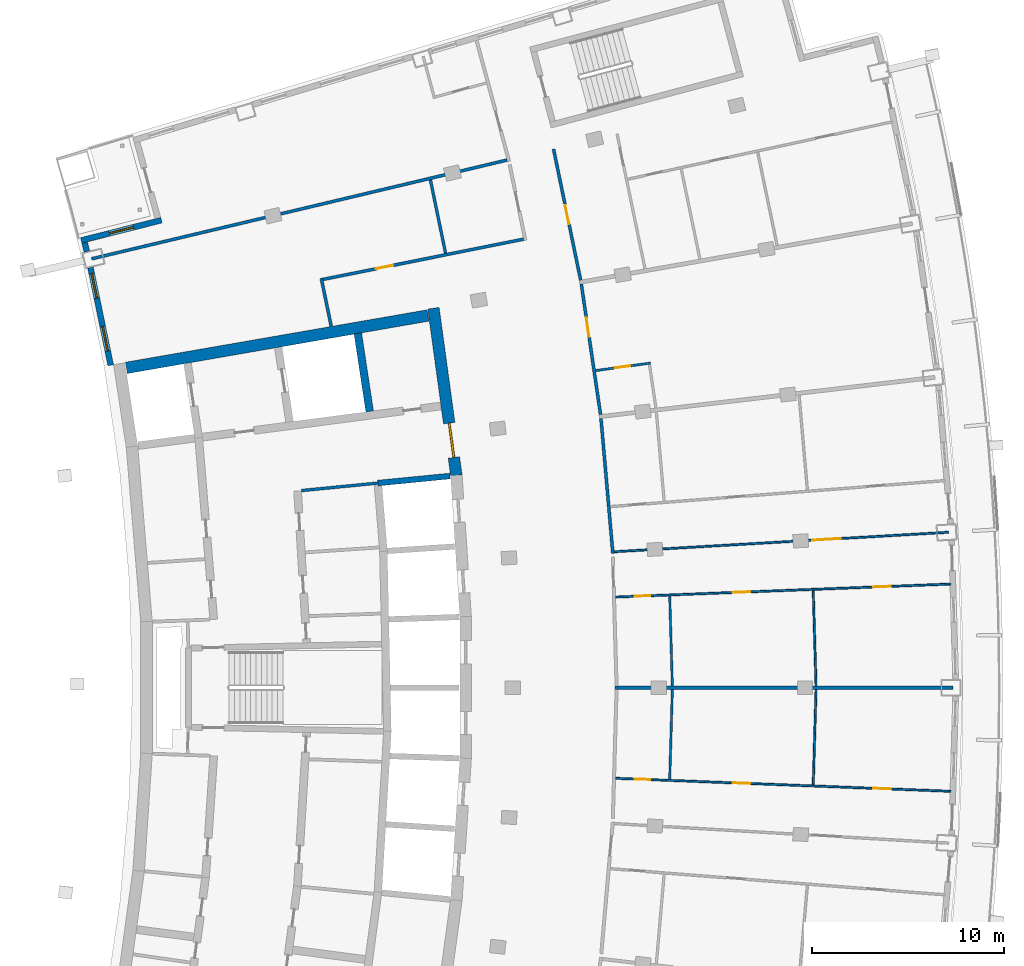
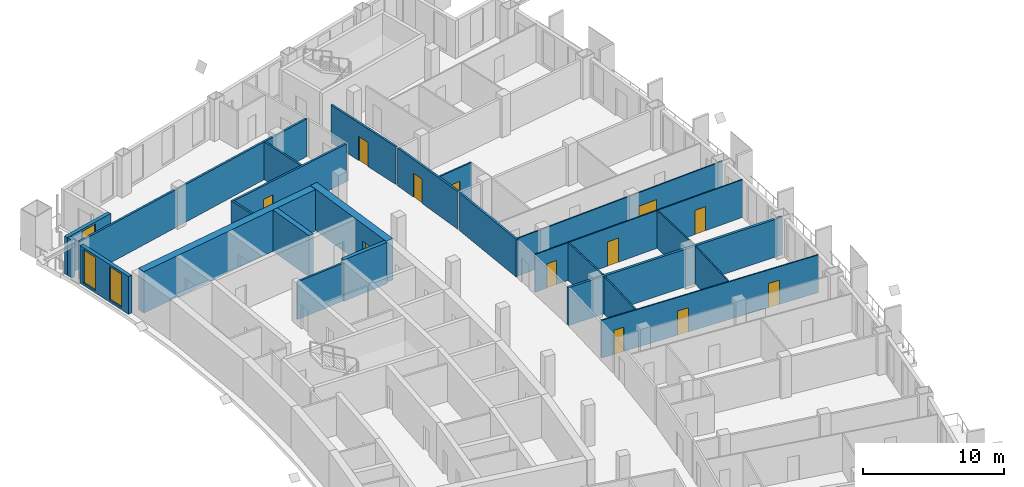
# One storey, part 13 of 19: 24 walls, 12 doors, 3 windows, 15 openings.
"""IFC4 building model written with IfcOpenShell, lengths in metres."""

from ifc_helpers import new_model, si_unit, direction, frame, frame_2d, origin, place, context, subcontext, project, spatial, rectangle, extrude, material, layer, layer_set, type_object, element, fill, save


model = new_model("IFC4")

# Units and contexts
model_context = context("Model", 3, precision=1e-05, world=origin(), true_north=direction((0.0, 1.0)))
body_context = subcontext(model_context, "Body", "Model", "MODEL_VIEW")
ifc_project = project(units=[si_unit("LENGTHUNIT", "METRE"), si_unit("AREAUNIT", "SQUARE_METRE"), si_unit("VOLUMEUNIT", "CUBIC_METRE"), si_unit("PLANEANGLEUNIT", "RADIAN"), si_unit("MASSUNIT", "GRAM", prefix="KILO")], contexts=[model_context])

# Site, building, storey
site_placement = place(None, origin())
site = spatial("IfcSite", under=ifc_project, at=site_placement, CompositionType="ELEMENT")
building_placement = place(site_placement, origin())
building = spatial("IfcBuilding", under=site, at=building_placement, Name="Alderwake Tower", CompositionType="ELEMENT")
storey_placement = place(building_placement, frame((0.0, 0.0, 196.39990234375)))
storey = spatial("IfcBuildingStorey", under=building, at=storey_placement, Name="L48", CompositionType="ELEMENT", Elevation=196.39990234375)

# Wall
ifc_material_1 = material(Name="Gypsum shaft wall system, rated")
ifc_layer_1 = layer(ifc_material_1, 0.14990234375)
ifc_layer_set_1 = layer_set([ifc_layer_1], Name="Core room partition 150")
wall_type_1 = type_object("IfcWallType", Name="Core room partition 150", PredefinedType="PARTITIONING", material=ifc_layer_set_1)
wall_1_placement = place(storey_placement, frame((24.799560546875, 71.2548828125, 0.0), z_axis=(0.0, 0.0, 1.0), x_axis=(0.995250000627, 0.097352125046, 0.0)))
element("IfcWall", 1, at=wall_1_placement, inside=storey, type_object=wall_type_1, Name="CW/L48/PR+102_+86", PredefinedType="PARTITIONING", context=body_context, shape_type="SweptSolid", body=[
    extrude(rectangle(XDim=4.0, YDim=0.14990234375, at=frame_2d((2.0, 0.0))), origin(), (0.0, 0.0, 1.0), 3.280029296875),
])

# Wall, opening, door
ifc_material_2 = material(Name="Concrete C70/85", Category="concrete")
ifc_layer_2 = layer(ifc_material_2, 0.60009765625)
ifc_layer_set_2 = layer_set([ifc_layer_2], Name="Core wall outer 600 C70-85")
wall_type_2 = type_object("IfcWallType", Name="Core wall outer 600 C70-85", PredefinedType="SHEAR", material=ifc_layer_set_2)
wall_2_placement = place(storey_placement, frame((31.66796875, 80.743896484375, 0.0), z_axis=(0.0, 0.0, 1.0), x_axis=(0.135856583698, -0.990728514108, 0.0)))
wall_2 = element("IfcWall", 2, at=wall_2_placement, inside=storey, type_object=wall_type_2, Name="Core wall CW.014", PredefinedType="SHEAR", context=body_context, shape_type="SweptSolid", body=[
    extrude(rectangle(XDim=8.79296875, YDim=0.60009765625, at=frame_2d((4.396484375, 0.0))), origin(), (0.0, 0.0, 1.0), 3.60009765625),
])
opening_1_placement = place(wall_2_placement, frame((6.038818359375, 0.0, 0.0)))
opening_1 = element("IfcOpeningElement", 3, at=opening_1_placement, cuts=wall_2, Name="Opening C001", PredefinedType="OPENING", context=body_context, shape_type="SweptSolid", body=[
    extrude(rectangle(XDim=1.800048828125, YDim=2.10009765625, at=frame_2d((0.89990234375, 1.050048828125))), frame((0.0, 0.31005859375, 0.0), z_axis=(0.0, -1.0, 0.0), x_axis=(1.0, 0.0, 0.0)), (0.0, 0.0, 1.0), 0.6201171875),
])
ifc_material_3 = material(Name="Steel-framed fire door leaves", Category="steel")
door_type_1 = type_object("IfcDoorType", Name="Core double door 1800 fire-rated", OperationType="DOUBLE_DOOR_SINGLE_SWING", PredefinedType="DOOR", material=ifc_material_3)
door_1_placement = place(opening_1_placement, origin())
door_1 = element("IfcDoor", 4, at=door_1_placement, inside=storey, type_object=door_type_1, Name="Lobby double door", OperationType="DOUBLE_DOOR_SINGLE_SWING", OverallHeight=2.10009765625, OverallWidth=1.800048828125, PredefinedType="DOOR", context=body_context, shape_type="SweptSolid", body=[
    extrude(rectangle(XDim=1.800048828125, YDim=2.10009765625, at=frame_2d((0.89990234375, 1.050048828125))), frame((0.0, 0.050048828125, 0.0), z_axis=(0.0, -1.0, 0.0), x_axis=(1.0, 0.0, 0.0)), (0.0, 0.0, 1.0), 0.10009765625),
])
fill(opening_1, door_1)

# Walls
wall_3_placement = place(storey_placement, frame((15.68896484375, 77.6357421875, 0.0), z_axis=(0.0, 0.0, 1.0), x_axis=(0.985223223422, 0.17127521721, 0.0)))
element("IfcWall", 5, at=wall_3_placement, inside=storey, type_object=wall_type_2, Name="Core wall CW.055", PredefinedType="SHEAR", context=body_context, shape_type="SweptSolid", body=[
    extrude(rectangle(XDim=15.933349609375, YDim=0.60009765625, at=frame_2d((7.966796875, 0.0))), origin(), (0.0, 0.0, 1.0), 3.60009765625),
])
ifc_material_4 = material(Name="Concrete C70/85", Category="concrete")
ifc_layer_3 = layer(ifc_material_4, 0.300048828125)
ifc_layer_set_3 = layer_set([ifc_layer_3], Name="Core wall shaft 300 C70-85")
wall_type_3 = type_object("IfcWallType", Name="Core wall shaft 300 C70-85", PredefinedType="SHEAR", material=ifc_layer_set_3)
wall_4_placement = place(storey_placement, frame((28.780517578125, 71.644287109375, 0.0), z_axis=(0.0, 0.0, 1.0), x_axis=(0.995245280185, 0.097400370992, 0.0)))
element("IfcWall", 6, at=wall_4_placement, inside=storey, type_object=wall_type_3, Name="Core wall CW.049", PredefinedType="SHEAR", context=body_context, shape_type="SweptSolid", body=[
    extrude(rectangle(XDim=3.769775390625, YDim=0.300048828125, at=frame_2d((1.884765625, 0.0))), origin(), (0.0, 0.0, 1.0), 3.60009765625),
])
ifc_material_5 = material(Name="Concrete C70/85", Category="concrete")
ifc_layer_4 = layer(ifc_material_5, 0.39990234375)
ifc_layer_set_4 = layer_set([ifc_layer_4], Name="Core wall spine 400 C70-85")
wall_type_4 = type_object("IfcWallType", Name="Core wall spine 400 C70-85", PredefinedType="SHEAR", material=ifc_layer_set_4)
wall_5_placement = place(storey_placement, frame((28.350830078125, 75.373291015625, 0.0), z_axis=(0.0, 0.0, 1.0), x_axis=(-0.150143035921, 0.988664285167, 0.0)))
element("IfcWall", 7, at=wall_5_placement, inside=storey, type_object=wall_type_4, Name="Core wall CW.001", PredefinedType="SHEAR", context=body_context, shape_type="SweptSolid", body=[
    extrude(rectangle(XDim=4.1123046875, YDim=0.39990234375, at=frame_2d((2.05615234375, 0.0))), origin(), (0.0, 0.0, 1.0), 3.60009765625),
])
ifc_material_6 = material(Name="Gypsum board on metal studs, rated")
ifc_layer_5 = layer(ifc_material_6, 0.159912109375)
ifc_layer_set_5 = layer_set([ifc_layer_5], Name="Corridor wall 160")
wall_type_5 = type_object("IfcWallType", Name="Corridor wall 160", PredefinedType="PARTITIONING", material=ifc_layer_set_5)
wall_6_placement = place(storey_placement, frame((25.831787109375, 82.305419921875, 0.0), z_axis=(0.0, 0.0, 1.0), x_axis=(0.202450797205, -0.979292435747, 0.0)))
element("IfcWall", 8, at=wall_6_placement, inside=storey, type_object=wall_type_5, Name="WL/L48/W11", PredefinedType="PARTITIONING", context=body_context, shape_type="SweptSolid", body=[
    extrude(rectangle(XDim=2.555419921875, YDim=0.159912109375, at=frame_2d((1.27783203125, 0.0))), origin(), (0.0, 0.0, 1.0), 3.280029296875),
])
wall_7_placement = place(storey_placement, frame((35.502197265625, 88.451416015625, 0.0), z_axis=(0.0, 0.0, 1.0), x_axis=(-0.972894913244, -0.231247676278, 0.0)))
element("IfcWall", 9, at=wall_7_placement, inside=storey, type_object=wall_type_5, Name="WL/L48/W16", PredefinedType="PARTITIONING", context=body_context, shape_type="SweptSolid", body=[
    extrude(rectangle(XDim=22.220458984375, YDim=0.159912109375, at=frame_2d((11.1103515625, 0.0))), origin(), (0.0, 0.0, 1.0), 3.280029296875),
])

# Wall, opening, door
wall_8_placement = place(storey_placement, frame((25.926513671875, 82.24267578125, 0.0), z_axis=(0.0, 0.0, 1.0), x_axis=(0.98046310274, 0.196703086316, 0.0)))
wall_8 = element("IfcWall", 10, at=wall_8_placement, inside=storey, type_object=wall_type_5, Name="WL/L48/W19", PredefinedType="PARTITIONING", context=body_context, shape_type="SweptSolid", body=[
    extrude(rectangle(XDim=10.637939453125, YDim=0.159912109375, at=frame_2d((5.31884765625, 0.0))), origin(), (0.0, 0.0, 1.0), 3.280029296875),
])
opening_2_placement = place(wall_8_placement, frame((2.80908203125, 0.0, 0.0)))
opening_2 = element("IfcOpeningElement", 11, at=opening_2_placement, cuts=wall_8, Name="Opening R13-SBN1", PredefinedType="OPENING", context=body_context, shape_type="SweptSolid", body=[
    extrude(rectangle(XDim=0.89990234375, YDim=2.10009765625, at=frame_2d((0.449951171875, 1.050048828125))), frame((0.0, 0.08984375, 0.0), z_axis=(0.0, -1.0, 0.0), x_axis=(1.0, 0.0, 0.0)), (0.0, 0.0, 1.0), 0.179931640625),
])
ifc_material_7 = material(Name="Painted timber leaf", Category="wood")
door_type_2 = type_object("IfcDoorType", Name="Room door 900", OperationType="SINGLE_SWING_LEFT", PredefinedType="DOOR", material=ifc_material_7)
door_2_placement = place(opening_2_placement, origin())
door_2 = element("IfcDoor", 12, at=door_2_placement, inside=storey, type_object=door_type_2, Name="DR/L48/SBN1", OperationType="SINGLE_SWING_LEFT", OverallHeight=2.10009765625, OverallWidth=0.89990234375, PredefinedType="DOOR", context=body_context, shape_type="SweptSolid", body=[
    extrude(rectangle(XDim=0.89990234375, YDim=2.10009765625, at=frame_2d((0.449951171875, 1.050048828125))), frame((0.0, 0.02490234375, 0.0), z_axis=(0.0, -1.0, 0.0), x_axis=(1.0, 0.0, 0.0)), (0.0, 0.0, 1.0), 0.050048828125),
])
fill(opening_2, door_2)

wall_9_placement = place(storey_placement, frame((37.9169921875, 89.02490234375, 0.0), z_axis=(0.0, 0.0, 1.0), x_axis=(0.202416809878, -0.97929946139, 0.0)))
wall_9 = element("IfcWall", 13, at=wall_9_placement, inside=storey, type_object=wall_type_5, Name="WL/L48/W22", PredefinedType="PARTITIONING", context=body_context, shape_type="SweptSolid", body=[
    extrude(rectangle(XDim=6.97021484375, YDim=0.159912109375, at=frame_2d((3.485107421875, 0.0))), origin(), (0.0, 0.0, 1.0), 3.280029296875),
])
opening_3_placement = place(wall_9_placement, frame((2.985595703125, 0.0, 0.0)))
opening_3 = element("IfcOpeningElement", 14, at=opening_3_placement, cuts=wall_9, Name="Opening R13-U07.2", PredefinedType="OPENING", context=body_context, shape_type="SweptSolid", body=[
    extrude(rectangle(XDim=1.0, YDim=2.10009765625, at=frame_2d((0.5, 1.050048828125))), frame((0.0, 0.08984375, 0.0), z_axis=(0.0, -1.0, 0.0), x_axis=(1.0, 0.0, 0.0)), (0.0, 0.0, 1.0), 0.179931640625),
])
ifc_material_8 = material(Name="Solid timber leaf in steel frame", Category="steel")
door_type_3 = type_object("IfcDoorType", Name="Flat entrance door 1000 fire-rated", OperationType="SINGLE_SWING_LEFT", PredefinedType="DOOR", material=ifc_material_8)
door_3_placement = place(opening_3_placement, origin())
door_3 = element("IfcDoor", 15, at=door_3_placement, inside=storey, type_object=door_type_3, Name="DR/L48/U07.2", OperationType="SINGLE_SWING_LEFT", OverallHeight=2.10009765625, OverallWidth=1.0, PredefinedType="DOOR", context=body_context, shape_type="SweptSolid", body=[
    extrude(rectangle(XDim=1.0, YDim=2.10009765625, at=frame_2d((0.5, 1.050048828125))), frame((0.0, 0.02490234375, 0.0), z_axis=(0.0, -1.0, 0.0), x_axis=(1.0, 0.0, 0.0)), (0.0, 0.0, 1.0), 0.050048828125),
])
fill(opening_3, door_3)

wall_10_placement = place(storey_placement, frame((39.362548828125, 82.001953125, 0.0), z_axis=(0.0, 0.0, 1.0), x_axis=(0.145565626222, -0.98934859805, 0.0)))
wall_10 = element("IfcWall", 16, at=wall_10_placement, inside=storey, type_object=wall_type_5, Name="WL/L48/W24", PredefinedType="PARTITIONING", context=body_context, shape_type="SweptSolid", body=[
    extrude(rectangle(XDim=6.8681640625, YDim=0.159912109375, at=frame_2d((3.43408203125, 0.0))), origin(), (0.0, 0.0, 1.0), 3.280029296875),
])
opening_4_placement = place(wall_10_placement, frame((1.782470703125, 0.0, 0.0)))
opening_4 = element("IfcOpeningElement", 17, at=opening_4_placement, cuts=wall_10, Name="Opening R13-U06.1", PredefinedType="OPENING", context=body_context, shape_type="SweptSolid", body=[
    extrude(rectangle(XDim=1.0, YDim=2.10009765625, at=frame_2d((0.5, 1.050048828125))), frame((0.0, 0.08984375, 0.0), z_axis=(0.0, -1.0, 0.0), x_axis=(1.0, 0.0, 0.0)), (0.0, 0.0, 1.0), 0.179931640625),
])
door_4_placement = place(opening_4_placement, origin())
door_4 = element("IfcDoor", 18, at=door_4_placement, inside=storey, type_object=door_type_3, Name="DR/L48/U06.1", OperationType="SINGLE_SWING_LEFT", OverallHeight=2.10009765625, OverallWidth=1.0, PredefinedType="DOOR", context=body_context, shape_type="SweptSolid", body=[
    extrude(rectangle(XDim=1.0, YDim=2.10009765625, at=frame_2d((0.5, 1.050048828125))), frame((0.0, 0.02490234375, 0.0), z_axis=(0.0, -1.0, 0.0), x_axis=(1.0, 0.0, 0.0)), (0.0, 0.0, 1.0), 0.050048828125),
])
fill(opening_4, door_4)

# Walls
wall_11_placement = place(storey_placement, frame((41.001953125, 67.9873046875, 0.0), z_axis=(0.0, 0.0, 1.0), x_axis=(-0.087430787456, 0.996170596537, 0.0)))
element("IfcWall", 19, at=wall_11_placement, inside=storey, type_object=wall_type_5, Name="WL/L48/W26", PredefinedType="PARTITIONING", context=body_context, shape_type="SweptSolid", body=[
    extrude(rectangle(XDim=7.048095703125, YDim=0.159912109375, at=frame_2d((3.52392578125, 0.0))), origin(), (0.0, 0.0, 1.0), 3.280029296875),
])
ifc_material_9 = material(Name="Precast concrete C50/60 spandrel panel", Category="concrete")
ifc_layer_6 = layer(ifc_material_9, 0.300048828125)
ifc_layer_set_6 = layer_set([ifc_layer_6], Name="External wall EW1 Precast concrete C50/60 spandrel")
wall_type_6 = type_object("IfcWallType", Name="External wall EW1 Precast concrete C50/60 spandrel", PredefinedType="SOLIDWALL", material=ifc_layer_set_6)
wall_12_placement = place(storey_placement, frame((13.523193359375, 84.1572265625, 0.0), z_axis=(0.0, 0.0, 1.0), x_axis=(0.238448700846, -0.971155094238, 0.0)))
element("IfcWall", 20, at=wall_12_placement, inside=storey, type_object=wall_type_6, Name="External wall 30", PredefinedType="SOLIDWALL", context=body_context, shape_type="SweptSolid", body=[
    extrude(rectangle(XDim=0.47802734375, YDim=0.300048828125, at=frame_2d((0.239013671875, 0.0))), origin(), (0.0, 0.0, 1.0), 3.280029296875),
])

# Wall, openings, windows
wall_13_placement = place(storey_placement, frame((13.826904296875, 82.8544921875, 0.0), z_axis=(0.0, 0.0, 1.0), x_axis=(0.202730149235, -0.979234643276, 0.0)))
wall_13 = element("IfcWall", 21, at=wall_13_placement, inside=storey, type_object=wall_type_6, Name="External wall 31", PredefinedType="SOLIDWALL", context=body_context, shape_type="SweptSolid", body=[
    extrude(rectangle(XDim=5.185546875, YDim=0.300048828125, at=frame_2d((2.5927734375, 0.0))), origin(), (0.0, 0.0, 1.0), 3.280029296875),
])
opening_5_placement = place(wall_13_placement, frame((0.316162109375, 0.0, 0.199951171875)))
opening_5 = element("IfcOpeningElement", 22, at=opening_5_placement, cuts=wall_13, Name="Opening W1", PredefinedType="OPENING", context=body_context, shape_type="SweptSolid", body=[
    extrude(rectangle(XDim=1.300048828125, YDim=2.89990234375, at=frame_2d((0.64990234375, 1.449951171875))), frame((0.0, 0.159912109375, 0.0), z_axis=(0.0, -1.0, 0.0), x_axis=(1.0, 0.0, 0.0)), (0.0, 0.0, 1.0), 0.320068359375),
])
opening_6_placement = place(wall_13_placement, frame((3.12890625, 0.0, 0.199951171875)))
opening_6 = element("IfcOpeningElement", 23, at=opening_6_placement, cuts=wall_13, Name="Opening W1", PredefinedType="OPENING", context=body_context, shape_type="SweptSolid", body=[
    extrude(rectangle(XDim=1.300048828125, YDim=2.89990234375, at=frame_2d((0.64990234375, 1.449951171875))), frame((0.0, 0.159912109375, 0.0), z_axis=(0.0, -1.0, 0.0), x_axis=(1.0, 0.0, 0.0)), (0.0, 0.0, 1.0), 0.320068359375),
])
ifc_material_10 = material(Name="Bronze tinted glass in aluminium frame", Category="aluminium")
window_type = type_object("IfcWindowType", Name="Window W1 tall fixed and vent", PartitioningType="DOUBLE_PANEL_VERTICAL", PredefinedType="WINDOW", material=ifc_material_10)
window_1_placement = place(opening_5_placement, origin())
window_1 = element("IfcWindow", 24, at=window_1_placement, inside=storey, type_object=window_type, Name="Window W1 tall fixed and vent", OverallHeight=2.89990234375, OverallWidth=1.300048828125, PartitioningType="DOUBLE_PANEL_VERTICAL", PredefinedType="WINDOW", context=body_context, shape_type="SweptSolid", body=[
    extrude(rectangle(XDim=1.300048828125, YDim=2.89990234375, at=frame_2d((0.64990234375, 1.449951171875))), frame((0.0, 0.030029296875, 0.0), z_axis=(0.0, -1.0, 0.0), x_axis=(1.0, 0.0, 0.0)), (0.0, 0.0, 1.0), 0.06005859375),
])
fill(opening_5, window_1)
window_2_placement = place(opening_6_placement, origin())
window_2 = element("IfcWindow", 25, at=window_2_placement, inside=storey, type_object=window_type, Name="Window W1 tall fixed and vent", OverallHeight=2.89990234375, OverallWidth=1.300048828125, PartitioningType="DOUBLE_PANEL_VERTICAL", PredefinedType="WINDOW", context=body_context, shape_type="SweptSolid", body=[
    extrude(rectangle(XDim=1.300048828125, YDim=2.89990234375, at=frame_2d((0.64990234375, 1.449951171875))), frame((0.0, 0.030029296875, 0.0), z_axis=(0.0, -1.0, 0.0), x_axis=(1.0, 0.0, 0.0)), (0.0, 0.0, 1.0), 0.06005859375),
])
fill(opening_6, window_2)

# Wall, opening, window
ifc_material_11 = material(Name="Bronze metal cladding on lightweight framing")
ifc_layer_7 = layer(ifc_material_11, 0.300048828125)
ifc_layer_set_7 = layer_set([ifc_layer_7], Name="External wall EW2 bronze metal cladding")
wall_type_7 = type_object("IfcWallType", Name="External wall EW2 bronze metal cladding", PredefinedType="SOLIDWALL", material=ifc_layer_set_7)
wall_14_placement = place(storey_placement, frame((17.51611328125, 85.32275390625, 0.0), z_axis=(0.0, 0.0, 1.0), x_axis=(-0.969417740682, -0.245416470617, 0.0)))
wall_14 = element("IfcWall", 26, at=wall_14_placement, inside=storey, type_object=wall_type_7, Name="External wall 29", PredefinedType="SOLIDWALL", context=body_context, shape_type="SweptSolid", body=[
    extrude(rectangle(XDim=4.305419921875, YDim=0.300048828125, at=frame_2d((2.15283203125, 0.0))), origin(), (0.0, 0.0, 1.0), 3.280029296875),
])
opening_7_placement = place(wall_14_placement, frame((1.502685546875, 0.0, 0.199951171875)))
opening_7 = element("IfcOpeningElement", 27, at=opening_7_placement, cuts=wall_14, Name="Opening W1", PredefinedType="OPENING", context=body_context, shape_type="SweptSolid", body=[
    extrude(rectangle(XDim=1.300048828125, YDim=2.89990234375, at=frame_2d((0.64990234375, 1.449951171875))), frame((0.0, 0.159912109375, 0.0), z_axis=(0.0, -1.0, 0.0), x_axis=(1.0, 0.0, 0.0)), (0.0, 0.0, 1.0), 0.320068359375),
])
window_3_placement = place(opening_7_placement, origin())
window_3 = element("IfcWindow", 28, at=window_3_placement, inside=storey, type_object=window_type, Name="Window W1 tall fixed and vent", OverallHeight=2.89990234375, OverallWidth=1.300048828125, PartitioningType="DOUBLE_PANEL_VERTICAL", PredefinedType="WINDOW", context=body_context, shape_type="SweptSolid", body=[
    extrude(rectangle(XDim=1.300048828125, YDim=2.89990234375, at=frame_2d((0.64990234375, 1.449951171875))), frame((0.0, 0.030029296875, 0.0), z_axis=(0.0, -1.0, 0.0), x_axis=(1.0, 0.0, 0.0)), (0.0, 0.0, 1.0), 0.06005859375),
])
fill(opening_7, window_3)

# Walls
ifc_material_12 = material(Name="Dense block masonry wall", Category="masonry")
ifc_layer_8 = layer(ifc_material_12, 0.199951171875)
ifc_layer_set_8 = layer_set([ifc_layer_8], Name="Party wall 200")
wall_type_8 = type_object("IfcWallType", Name="Party wall 200", PredefinedType="SOLIDWALL", material=ifc_layer_set_8)
wall_15_placement = place(storey_placement, frame((58.700927734375, 60.9990234375, 0.0), z_axis=(0.0, 0.0, 1.0), x_axis=(-1.0, 0.0, 0.0)))
element("IfcWall", 29, at=wall_15_placement, inside=storey, type_object=wall_type_8, Name="WL/L48/W03", PredefinedType="SOLIDWALL", context=body_context, shape_type="SweptSolid", body=[
    extrude(rectangle(XDim=17.58203125, YDim=0.199951171875, at=frame_2d((8.791015625, 0.0))), origin(), (0.0, 0.0, 1.0), 3.280029296875),
])
ifc_material_13 = material(Name="Gypsum shaft wall system, rated")
ifc_layer_9 = layer(ifc_material_13, 0.14990234375)
ifc_layer_set_9 = layer_set([ifc_layer_9], Name="Riser and shaft wall 150")
wall_type_9 = type_object("IfcWallType", Name="Riser and shaft wall 150", PredefinedType="PARTITIONING", material=ifc_layer_set_9)
wall_16_placement = place(storey_placement, frame((32.2998046875, 83.601318359375, 0.0), z_axis=(0.0, 0.0, 1.0), x_axis=(-0.202493797034, 0.979283545334, 0.0)))
element("IfcWall", 30, at=wall_16_placement, inside=storey, type_object=wall_type_9, Name="WL/L48/W05", PredefinedType="PARTITIONING", context=body_context, shape_type="SweptSolid", body=[
    extrude(rectangle(XDim=3.899169921875, YDim=0.14990234375, at=frame_2d((1.94970703125, 0.0))), origin(), (0.0, 0.0, 1.0), 3.280029296875),
])

# Wall, openings, doors
ifc_material_14 = material(Name="Gypsum board on metal studs")
ifc_layer_10 = layer(ifc_material_14, 0.10009765625)
ifc_layer_set_10 = layer_set([ifc_layer_10], Name="Unit partition 100")
wall_type_10 = type_object("IfcWallType", Name="Unit partition 100", PredefinedType="PARTITIONING", material=ifc_layer_set_10)
wall_17_placement = place(storey_placement, frame((41.143798828125, 56.285888671875, 0.0), z_axis=(0.0, 0.0, 1.0), x_axis=(0.999246022294, -0.038825081205, 0.0)))
wall_17 = element("IfcWall", 31, at=wall_17_placement, inside=storey, type_object=wall_type_10, Name="WL/L48/W46", PredefinedType="PARTITIONING", context=body_context, shape_type="SweptSolid", body=[
    extrude(rectangle(XDim=17.46240234375, YDim=0.10009765625, at=frame_2d((8.731201171875, 0.0))), origin(), (0.0, 0.0, 1.0), 3.280029296875),
])
opening_8_placement = place(wall_17_placement, frame((6.104248046875, 0.0, 0.0)))
opening_8 = element("IfcOpeningElement", 32, at=opening_8_placement, cuts=wall_17, Name="Opening R13-U04.5", PredefinedType="OPENING", context=body_context, shape_type="SweptSolid", body=[
    extrude(rectangle(XDim=0.89990234375, YDim=2.10009765625, at=frame_2d((0.449951171875, 1.050048828125))), frame((0.0, 0.06005859375, 0.0), z_axis=(0.0, -1.0, 0.0), x_axis=(1.0, 0.0, 0.0)), (0.0, 0.0, 1.0), 0.1201171875),
])
opening_9_placement = place(wall_17_placement, frame((1.0087890625, 0.0, 0.0)))
opening_9 = element("IfcOpeningElement", 33, at=opening_9_placement, cuts=wall_17, Name="Opening R13-U04.6", PredefinedType="OPENING", context=body_context, shape_type="SweptSolid", body=[
    extrude(rectangle(XDim=0.800048828125, YDim=2.10009765625, at=frame_2d((0.39990234375, 1.050048828125))), frame((0.0, 0.06005859375, 0.0), z_axis=(0.0, -1.0, 0.0), x_axis=(1.0, 0.0, 0.0)), (0.0, 0.0, 1.0), 0.1201171875),
])
opening_10_placement = place(wall_17_placement, frame((13.426025390625, 0.0, 0.0)))
opening_10 = element("IfcOpeningElement", 34, at=opening_10_placement, cuts=wall_17, Name="Opening R13-U04.7", PredefinedType="OPENING", context=body_context, shape_type="SweptSolid", body=[
    extrude(rectangle(XDim=0.89990234375, YDim=2.10009765625, at=frame_2d((0.449951171875, 1.050048828125))), frame((0.0, 0.06005859375, 0.0), z_axis=(0.0, -1.0, 0.0), x_axis=(1.0, 0.0, 0.0)), (0.0, 0.0, 1.0), 0.1201171875),
])
ifc_material_15 = material(Name="Painted timber leaf", Category="wood")
door_type_4 = type_object("IfcDoorType", Name="Bathroom door 800", OperationType="SINGLE_SWING_LEFT", PredefinedType="DOOR", material=ifc_material_15)
door_5_placement = place(opening_9_placement, origin())
door_5 = element("IfcDoor", 35, at=door_5_placement, inside=storey, type_object=door_type_4, Name="DR/L48/U04.6", OperationType="SINGLE_SWING_LEFT", OverallHeight=2.10009765625, OverallWidth=0.800048828125, PredefinedType="DOOR", context=body_context, shape_type="SweptSolid", body=[
    extrude(rectangle(XDim=0.800048828125, YDim=2.10009765625, at=frame_2d((0.39990234375, 1.050048828125))), frame((0.0, 0.02490234375, 0.0), z_axis=(0.0, -1.0, 0.0), x_axis=(1.0, 0.0, 0.0)), (0.0, 0.0, 1.0), 0.050048828125),
])
fill(opening_9, door_5)
door_6_placement = place(opening_8_placement, origin())
door_6 = element("IfcDoor", 36, at=door_6_placement, inside=storey, type_object=door_type_2, Name="DR/L48/U04.5", OperationType="SINGLE_SWING_LEFT", OverallHeight=2.10009765625, OverallWidth=0.89990234375, PredefinedType="DOOR", context=body_context, shape_type="SweptSolid", body=[
    extrude(rectangle(XDim=0.89990234375, YDim=2.10009765625, at=frame_2d((0.449951171875, 1.050048828125))), frame((0.0, 0.02490234375, 0.0), z_axis=(0.0, -1.0, 0.0), x_axis=(1.0, 0.0, 0.0)), (0.0, 0.0, 1.0), 0.050048828125),
])
fill(opening_8, door_6)
door_7_placement = place(opening_10_placement, origin())
door_7 = element("IfcDoor", 37, at=door_7_placement, inside=storey, type_object=door_type_2, Name="DR/L48/U04.7", OperationType="SINGLE_SWING_LEFT", OverallHeight=2.10009765625, OverallWidth=0.89990234375, PredefinedType="DOOR", context=body_context, shape_type="SweptSolid", body=[
    extrude(rectangle(XDim=0.89990234375, YDim=2.10009765625, at=frame_2d((0.449951171875, 1.050048828125))), frame((0.0, 0.02490234375, 0.0), z_axis=(0.0, -1.0, 0.0), x_axis=(1.0, 0.0, 0.0)), (0.0, 0.0, 1.0), 0.050048828125),
])
fill(opening_10, door_7)

wall_18_placement = place(storey_placement, frame((58.593017578125, 66.39306640625, 0.0), z_axis=(0.0, 0.0, 1.0), x_axis=(-0.999246022294, -0.038825081205, 0.0)))
wall_18 = element("IfcWall", 38, at=wall_18_placement, inside=storey, type_object=wall_type_10, Name="WL/L48/W47", PredefinedType="PARTITIONING", context=body_context, shape_type="SweptSolid", body=[
    extrude(rectangle(XDim=17.46240234375, YDim=0.10009765625, at=frame_2d((8.731201171875, 0.0))), origin(), (0.0, 0.0, 1.0), 3.280029296875),
])
opening_11_placement = place(wall_18_placement, frame((10.4580078125, 0.0, 0.0)))
opening_11 = element("IfcOpeningElement", 39, at=opening_11_placement, cuts=wall_18, Name="Opening R13-U05.1", PredefinedType="OPENING", context=body_context, shape_type="SweptSolid", body=[
    extrude(rectangle(XDim=0.89990234375, YDim=2.10009765625, at=frame_2d((0.449951171875, 1.050048828125))), frame((0.0, 0.06005859375, 0.0), z_axis=(0.0, -1.0, 0.0), x_axis=(1.0, 0.0, 0.0)), (0.0, 0.0, 1.0), 0.1201171875),
])
opening_12_placement = place(wall_18_placement, frame((15.653564453125, 0.0, 0.0)))
opening_12 = element("IfcOpeningElement", 40, at=opening_12_placement, cuts=wall_18, Name="Opening R13-U05.3", PredefinedType="OPENING", context=body_context, shape_type="SweptSolid", body=[
    extrude(rectangle(XDim=0.800048828125, YDim=2.10009765625, at=frame_2d((0.39990234375, 1.050048828125))), frame((0.0, 0.06005859375, 0.0), z_axis=(0.0, -1.0, 0.0), x_axis=(1.0, 0.0, 0.0)), (0.0, 0.0, 1.0), 0.1201171875),
])
opening_13_placement = place(wall_18_placement, frame((3.13623046875, 0.0, 0.0)))
opening_13 = element("IfcOpeningElement", 41, at=opening_13_placement, cuts=wall_18, Name="Opening R13-U05.4", PredefinedType="OPENING", context=body_context, shape_type="SweptSolid", body=[
    extrude(rectangle(XDim=0.89990234375, YDim=2.10009765625, at=frame_2d((0.449951171875, 1.050048828125))), frame((0.0, 0.06005859375, 0.0), z_axis=(0.0, -1.0, 0.0), x_axis=(1.0, 0.0, 0.0)), (0.0, 0.0, 1.0), 0.1201171875),
])
door_8_placement = place(opening_12_placement, origin())
door_8 = element("IfcDoor", 42, at=door_8_placement, inside=storey, type_object=door_type_4, Name="DR/L48/U05.3", OperationType="SINGLE_SWING_LEFT", OverallHeight=2.10009765625, OverallWidth=0.800048828125, PredefinedType="DOOR", context=body_context, shape_type="SweptSolid", body=[
    extrude(rectangle(XDim=0.800048828125, YDim=2.10009765625, at=frame_2d((0.39990234375, 1.050048828125))), frame((0.0, 0.02490234375, 0.0), z_axis=(0.0, -1.0, 0.0), x_axis=(1.0, 0.0, 0.0)), (0.0, 0.0, 1.0), 0.050048828125),
])
fill(opening_12, door_8)
door_9_placement = place(opening_11_placement, origin())
door_9 = element("IfcDoor", 43, at=door_9_placement, inside=storey, type_object=door_type_2, Name="DR/L48/U05.1", OperationType="SINGLE_SWING_LEFT", OverallHeight=2.10009765625, OverallWidth=0.89990234375, PredefinedType="DOOR", context=body_context, shape_type="SweptSolid", body=[
    extrude(rectangle(XDim=0.89990234375, YDim=2.10009765625, at=frame_2d((0.449951171875, 1.050048828125))), frame((0.0, 0.02490234375, 0.0), z_axis=(0.0, -1.0, 0.0), x_axis=(1.0, 0.0, 0.0)), (0.0, 0.0, 1.0), 0.050048828125),
])
fill(opening_11, door_9)
door_10_placement = place(opening_13_placement, origin())
door_10 = element("IfcDoor", 44, at=door_10_placement, inside=storey, type_object=door_type_2, Name="DR/L48/U05.4", OperationType="SINGLE_SWING_LEFT", OverallHeight=2.10009765625, OverallWidth=0.89990234375, PredefinedType="DOOR", context=body_context, shape_type="SweptSolid", body=[
    extrude(rectangle(XDim=0.89990234375, YDim=2.10009765625, at=frame_2d((0.449951171875, 1.050048828125))), frame((0.0, 0.02490234375, 0.0), z_axis=(0.0, -1.0, 0.0), x_axis=(1.0, 0.0, 0.0)), (0.0, 0.0, 1.0), 0.050048828125),
])
fill(opening_13, door_10)

# Walls
wall_19_placement = place(storey_placement, frame((51.427490234375, 55.93701171875, 0.0), z_axis=(0.0, 0.0, 1.0), x_axis=(0.029312335146, 0.999570301184, 0.0)))
element("IfcWall", 45, at=wall_19_placement, inside=storey, type_object=wall_type_10, Name="WL/L48/W53", PredefinedType="PARTITIONING", context=body_context, shape_type="SweptSolid", body=[
    extrude(rectangle(XDim=4.964111328125, YDim=0.10009765625, at=frame_2d((2.48193359375, 0.0))), origin(), (0.0, 0.0, 1.0), 3.280029296875),
])
wall_20_placement = place(storey_placement, frame((51.572998046875, 61.09912109375, 0.0), z_axis=(0.0, 0.0, 1.0), x_axis=(-0.02929505318, 0.999570807827, 0.0)))
element("IfcWall", 46, at=wall_20_placement, inside=storey, type_object=wall_type_10, Name="WL/L48/W54", PredefinedType="PARTITIONING", context=body_context, shape_type="SweptSolid", body=[
    extrude(rectangle(XDim=4.967041015625, YDim=0.10009765625, at=frame_2d((2.4833984375, 0.0))), origin(), (0.0, 0.0, 1.0), 3.280029296875),
])

# Wall, opening, door
wall_21_placement = place(storey_placement, frame((41.074951171875, 68.07177734375, 0.0), z_axis=(0.0, 0.0, 1.0), x_axis=(0.998300373254, 0.058278338696, 0.0)))
wall_21 = element("IfcWall", 47, at=wall_21_placement, inside=storey, type_object=wall_type_10, Name="WL/L48/W56", PredefinedType="PARTITIONING", context=body_context, shape_type="SweptSolid", body=[
    extrude(rectangle(XDim=17.418701171875, YDim=0.10009765625, at=frame_2d((8.70947265625, 0.0))), origin(), (0.0, 0.0, 1.0), 3.280029296875),
])
opening_14_placement = place(wall_21_placement, frame((10.311279296875, 0.0, 0.0)))
opening_14 = element("IfcOpeningElement", 48, at=opening_14_placement, cuts=wall_21, Name="Opening R13-U05.8", PredefinedType="OPENING", context=body_context, shape_type="SweptSolid", body=[
    extrude(rectangle(XDim=1.5, YDim=2.10009765625, at=frame_2d((0.75, 1.050048828125))), frame((0.0, 0.06005859375, 0.0), z_axis=(0.0, -1.0, 0.0), x_axis=(1.0, 0.0, 0.0)), (0.0, 0.0, 1.0), 0.1201171875),
])
ifc_material_16 = material(Name="Painted timber leaves", Category="wood")
door_type_5 = type_object("IfcDoorType", Name="Double leaf door 1500", OperationType="DOUBLE_DOOR_SINGLE_SWING", PredefinedType="DOOR", material=ifc_material_16)
door_11_placement = place(opening_14_placement, origin())
door_11 = element("IfcDoor", 49, at=door_11_placement, inside=storey, type_object=door_type_5, Name="DR/L48/U05.8", OperationType="DOUBLE_DOOR_SINGLE_SWING", OverallHeight=2.10009765625, OverallWidth=1.5, PredefinedType="DOOR", context=body_context, shape_type="SweptSolid", body=[
    extrude(rectangle(XDim=1.5, YDim=2.10009765625, at=frame_2d((0.75, 1.050048828125))), frame((0.0, 0.02490234375, 0.0), z_axis=(0.0, -1.0, 0.0), x_axis=(1.0, 0.0, 0.0)), (0.0, 0.0, 1.0), 0.050048828125),
])
fill(opening_14, door_11)

ifc_material_17 = material(Name="Moisture resistant gypsum board on metal studs")
ifc_layer_11 = layer(ifc_material_17, 0.1201171875)
ifc_layer_set_11 = layer_set([ifc_layer_11], Name="Wet room partition 120")
wall_type_11 = type_object("IfcWallType", Name="Wet room partition 120", PredefinedType="PARTITIONING", material=ifc_layer_set_11)
wall_22_placement = place(storey_placement, frame((42.95947265625, 77.88818359375, 0.0), z_axis=(0.0, 0.0, 1.0), x_axis=(-0.99077593985, -0.135510283793, 0.0)))
wall_22 = element("IfcWall", 50, at=wall_22_placement, inside=storey, type_object=wall_type_11, Name="WL/L48/W36", PredefinedType="PARTITIONING", context=body_context, shape_type="SweptSolid", body=[
    extrude(rectangle(XDim=2.880859375, YDim=0.1201171875, at=frame_2d((1.4404296875, 0.0))), origin(), (0.0, 0.0, 1.0), 3.280029296875),
])
opening_15_placement = place(wall_22_placement, frame((1.071044921875, 0.0, 0.0)))
opening_15 = element("IfcOpeningElement", 51, at=opening_15_placement, cuts=wall_22, Name="Opening R13-U06.2", PredefinedType="OPENING", context=body_context, shape_type="SweptSolid", body=[
    extrude(rectangle(XDim=0.800048828125, YDim=2.10009765625, at=frame_2d((0.39990234375, 1.050048828125))), frame((0.0, 0.070068359375, 0.0), z_axis=(0.0, -1.0, 0.0), x_axis=(1.0, 0.0, 0.0)), (0.0, 0.0, 1.0), 0.14013671875),
])
door_12_placement = place(opening_15_placement, origin())
door_12 = element("IfcDoor", 52, at=door_12_placement, inside=storey, type_object=door_type_4, Name="DR/L48/U06.2", OperationType="SINGLE_SWING_LEFT", OverallHeight=2.10009765625, OverallWidth=0.800048828125, PredefinedType="DOOR", context=body_context, shape_type="SweptSolid", body=[
    extrude(rectangle(XDim=0.800048828125, YDim=2.10009765625, at=frame_2d((0.39990234375, 1.050048828125))), frame((0.0, 0.02490234375, 0.0), z_axis=(0.0, -1.0, 0.0), x_axis=(1.0, 0.0, 0.0)), (0.0, 0.0, 1.0), 0.050048828125),
])
fill(opening_15, door_12)

# Walls
wall_23_placement = place(storey_placement, frame((43.96044921875, 56.22802734375, 0.0), z_axis=(0.0, 0.0, 1.0), x_axis=(0.029257801765, 0.999571898883, 0.0)))
element("IfcWall", 53, at=wall_23_placement, inside=storey, type_object=wall_type_11, Name="WL/L48/W40", PredefinedType="PARTITIONING", context=body_context, shape_type="SweptSolid", body=[
    extrude(rectangle(XDim=4.6728515625, YDim=0.1201171875, at=frame_2d((2.33642578125, 0.0))), origin(), (0.0, 0.0, 1.0), 3.280029296875),
])
wall_24_placement = place(storey_placement, frame((44.09716796875, 61.09912109375, 0.0), z_axis=(0.0, 0.0, 1.0), x_axis=(-0.029239477833, 0.999572435062, 0.0)))
element("IfcWall", 54, at=wall_24_placement, inside=storey, type_object=wall_type_11, Name="WL/L48/W41", PredefinedType="PARTITIONING", context=body_context, shape_type="SweptSolid", body=[
    extrude(rectangle(XDim=4.67578125, YDim=0.1201171875, at=frame_2d((2.337890625, 0.0))), origin(), (0.0, 0.0, 1.0), 3.280029296875),
])

save(model, "model.ifc")
